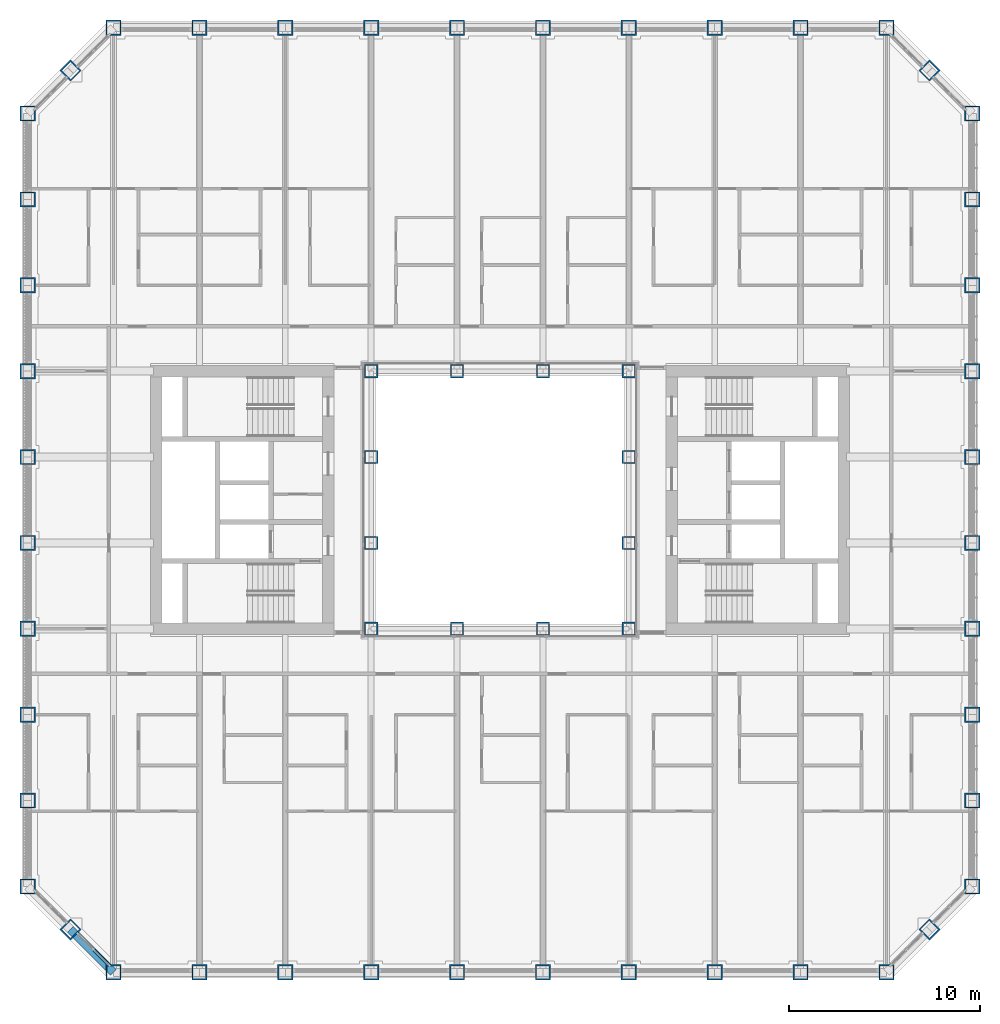
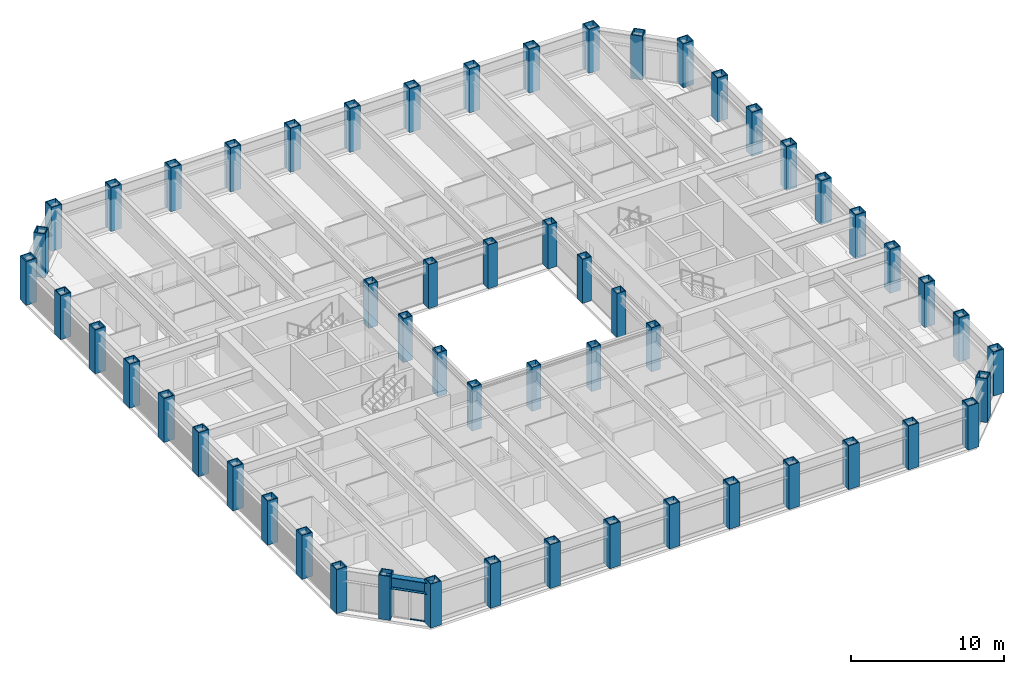
# One storey, part 1 of 21: 56 columns, 2 members, 1 beam, 1 element without a shape of its own.
"""IFC4 building model written with IfcOpenShell, lengths in metres."""

from ifc_helpers import new_model, si_unit, direction, frame, origin, origin_2d, place, context, subcontext, project, spatial, rectangle, hollow_rectangle, i_section, extrude, material, material_profile, profile_set, type_object, element, aggregate, save


model = new_model("IFC4")

# Units and contexts
model_context = context("Model", 3, precision=1e-05, world=origin(), true_north=direction((0.0, 1.0)))
body_context = subcontext(model_context, "Body", "Model", "MODEL_VIEW")
ifc_project = project(units=[si_unit("LENGTHUNIT", "METRE"), si_unit("AREAUNIT", "SQUARE_METRE"), si_unit("VOLUMEUNIT", "CUBIC_METRE"), si_unit("PLANEANGLEUNIT", "RADIAN"), si_unit("MASSUNIT", "GRAM", prefix="KILO")], contexts=[model_context])

# Site, building, storey
site_placement = place(None, origin())
site = spatial("IfcSite", under=ifc_project, at=site_placement, CompositionType="ELEMENT")
building_placement = place(site_placement, origin())
building = spatial("IfcBuilding", under=site, at=building_placement, Name="Msasa Ring Tower", CompositionType="ELEMENT")
storey_placement = place(building_placement, frame((0.0, 0.0, 40.5)))
storey = spatial("IfcBuildingStorey", under=building, at=storey_placement, Name="L09", CompositionType="ELEMENT", Elevation=40.5)

# Columns
ifc_material_1 = material(Name="Steel S355", Category="steel")
ifc_material_profile_1 = material_profile(ifc_material_1, hollow_rectangle(XDim=0.699951171875, YDim=0.699951171875, WallThickness=0.06005859375, at=origin_2d()), Name="BOX 700x700x60")
ifc_profile_set_1 = profile_set([ifc_material_profile_1], Name="Steel S355")
column_type_1 = type_object("IfcColumnType", Name="IC2 BOX 700x700x60", PredefinedType="COLUMN", material=ifc_profile_set_1)
for number, where, z_axis, x_axis, name in (
    (1, (-6.75, -6.75, 0.0), (0.0, 0.0, 1.0), (1.0, 0.0, 0.0), "Inner ring column IR-6.75-6.75 L09"),
    (2, (-6.75, -2.25, 0.0), (0.0, 0.0, 1.0), (1.0, 0.0, 0.0), "Inner ring column IR-6.75-2.25 L09"),
    (3, (-6.75, 2.25, 0.0), (0.0, 0.0, 1.0), (1.0, 0.0, 0.0), "Inner ring column IR-6.75+2.25 L09"),
    (4, (-6.75, 6.75, 0.0), (0.0, 0.0, 1.0), (1.0, 0.0, 0.0), "Inner ring column IR-6.75+6.75 L09"),
    (5, (-2.25, -6.75, 0.0), (0.0, 0.0, 1.0), (1.0, 0.0, 0.0), "Inner ring column IR-2.25-6.75 L09"),
    (6, (-2.25, 6.75, 0.0), (0.0, 0.0, 1.0), (1.0, 0.0, 0.0), "Inner ring column IR-2.25+6.75 L09"),
    (7, (2.25, -6.75, 0.0), (0.0, 0.0, 1.0), (1.0, 0.0, 0.0), "Inner ring column IR+2.25-6.75 L09"),
    (8, (2.25, 6.75, 0.0), (0.0, 0.0, 1.0), (1.0, 0.0, 0.0), "Inner ring column IR+2.25+6.75 L09"),
    (9, (6.75, -6.75, 0.0), (0.0, 0.0, 1.0), (1.0, 0.0, 0.0), "Inner ring column IR+6.75-6.75 L09"),
    (10, (6.75, -2.25, 0.0), (0.0, 0.0, 1.0), (1.0, 0.0, 0.0), "Inner ring column IR+6.75-2.25 L09"),
    (11, (6.75, 2.25, 0.0), (0.0, 0.0, 1.0), (1.0, 0.0, 0.0), "Inner ring column IR+6.75+2.25 L09"),
    (12, (6.75, 6.75, 0.0), (0.0, 0.0, 1.0), (1.0, 0.0, 0.0), "Inner ring column IR+6.75+6.75 L09"),
):
    element("IfcColumn", number, at=place(storey_placement, frame(where, z_axis=z_axis, x_axis=x_axis)), inside=storey, type_object=column_type_1, Name=name, PredefinedType="COLUMN", context=body_context, shape_type="SweptSolid", body=[
        extrude(hollow_rectangle(XDim=0.699951171875, YDim=0.699951171875, WallThickness=0.06005859375, at=origin_2d()), origin(), (0.0, 0.0, 1.0), 3.5),
    ])
ifc_material_2 = material(Name="Steel S355", Category="steel")
ifc_material_profile_2 = material_profile(ifc_material_2, hollow_rectangle(XDim=0.800048828125, YDim=0.800048828125, WallThickness=0.070068359375, at=origin_2d()), Name="BOX 800x800x70")
ifc_profile_set_2 = profile_set([ifc_material_profile_2], Name="Steel S355")
column_type_2 = type_object("IfcColumnType", Name="TC2 BOX 800x800x70", PredefinedType="COLUMN", material=ifc_profile_set_2)
for number, where, z_axis, x_axis, name in (
    (13, (-20.25, -24.75, 0.0), (0.0, 0.0, 1.0), (0.0, 1.0, 0.0), "Tube column S-20.25 L09"),
    (14, (-20.25, 24.75, 0.0), (0.0, 0.0, 1.0), (0.0, 1.0, 0.0), "Tube column N-20.25 L09"),
    (15, (24.75, -20.25, 0.0), (0.0, 0.0, 1.0), (1.0, 0.0, 0.0), "Tube column E-20.25 L09"),
    (16, (-24.75, -20.25, 0.0), (0.0, 0.0, 1.0), (1.0, 0.0, 0.0), "Tube column W-20.25 L09"),
    (17, (-15.75, -24.75, 0.0), (0.0, 0.0, 1.0), (0.0, 1.0, 0.0), "Tube column S-15.75 L09"),
    (18, (-15.75, 24.75, 0.0), (0.0, 0.0, 1.0), (0.0, 1.0, 0.0), "Tube column N-15.75 L09"),
    (19, (24.75, -15.75, 0.0), (0.0, 0.0, 1.0), (1.0, 0.0, 0.0), "Tube column E-15.75 L09"),
    (20, (-24.75, -15.75, 0.0), (0.0, 0.0, 1.0), (1.0, 0.0, 0.0), "Tube column W-15.75 L09"),
    (21, (-11.25, -24.75, 0.0), (0.0, 0.0, 1.0), (0.0, 1.0, 0.0), "Tube column S-11.25 L09"),
    (22, (-11.25, 24.75, 0.0), (0.0, 0.0, 1.0), (0.0, 1.0, 0.0), "Tube column N-11.25 L09"),
    (23, (24.75, -11.25, 0.0), (0.0, 0.0, 1.0), (1.0, 0.0, 0.0), "Tube column E-11.25 L09"),
    (24, (-24.75, -11.25, 0.0), (0.0, 0.0, 1.0), (1.0, 0.0, 0.0), "Tube column W-11.25 L09"),
    (25, (-6.75, -24.75, 0.0), (0.0, 0.0, 1.0), (0.0, 1.0, 0.0), "Tube column S-6.75 L09"),
    (26, (-6.75, 24.75, 0.0), (0.0, 0.0, 1.0), (0.0, 1.0, 0.0), "Tube column N-6.75 L09"),
    (27, (24.75, -6.75, 0.0), (0.0, 0.0, 1.0), (1.0, 0.0, 0.0), "Tube column E-6.75 L09"),
    (28, (-24.75, -6.75, 0.0), (0.0, 0.0, 1.0), (1.0, 0.0, 0.0), "Tube column W-6.75 L09"),
    (29, (-2.25, -24.75, 0.0), (0.0, 0.0, 1.0), (0.0, 1.0, 0.0), "Tube column S-2.25 L09"),
    (30, (-2.25, 24.75, 0.0), (0.0, 0.0, 1.0), (0.0, 1.0, 0.0), "Tube column N-2.25 L09"),
    (31, (24.75, -2.25, 0.0), (0.0, 0.0, 1.0), (1.0, 0.0, 0.0), "Tube column E-2.25 L09"),
    (32, (-24.75, -2.25, 0.0), (0.0, 0.0, 1.0), (1.0, 0.0, 0.0), "Tube column W-2.25 L09"),
    (33, (2.25, -24.75, 0.0), (0.0, 0.0, 1.0), (0.0, 1.0, 0.0), "Tube column S+2.25 L09"),
    (34, (2.25, 24.75, 0.0), (0.0, 0.0, 1.0), (0.0, 1.0, 0.0), "Tube column N+2.25 L09"),
    (35, (24.75, 2.25, 0.0), (0.0, 0.0, 1.0), (1.0, 0.0, 0.0), "Tube column E+2.25 L09"),
    (36, (-24.75, 2.25, 0.0), (0.0, 0.0, 1.0), (1.0, 0.0, 0.0), "Tube column W+2.25 L09"),
    (37, (6.75, -24.75, 0.0), (0.0, 0.0, 1.0), (0.0, 1.0, 0.0), "Tube column S+6.75 L09"),
    (38, (6.75, 24.75, 0.0), (0.0, 0.0, 1.0), (0.0, 1.0, 0.0), "Tube column N+6.75 L09"),
    (39, (24.75, 6.75, 0.0), (0.0, 0.0, 1.0), (1.0, 0.0, 0.0), "Tube column E+6.75 L09"),
    (40, (-24.75, 6.75, 0.0), (0.0, 0.0, 1.0), (1.0, 0.0, 0.0), "Tube column W+6.75 L09"),
    (41, (11.25, -24.75, 0.0), (0.0, 0.0, 1.0), (0.0, 1.0, 0.0), "Tube column S+11.25 L09"),
    (42, (11.25, 24.75, 0.0), (0.0, 0.0, 1.0), (0.0, 1.0, 0.0), "Tube column N+11.25 L09"),
    (43, (24.75, 11.25, 0.0), (0.0, 0.0, 1.0), (1.0, 0.0, 0.0), "Tube column E+11.25 L09"),
    (44, (-24.75, 11.25, 0.0), (0.0, 0.0, 1.0), (1.0, 0.0, 0.0), "Tube column W+11.25 L09"),
    (45, (15.75, -24.75, 0.0), (0.0, 0.0, 1.0), (0.0, 1.0, 0.0), "Tube column S+15.75 L09"),
    (46, (15.75, 24.75, 0.0), (0.0, 0.0, 1.0), (0.0, 1.0, 0.0), "Tube column N+15.75 L09"),
    (47, (24.75, 15.75, 0.0), (0.0, 0.0, 1.0), (1.0, 0.0, 0.0), "Tube column E+15.75 L09"),
    (48, (-24.75, 15.75, 0.0), (0.0, 0.0, 1.0), (1.0, 0.0, 0.0), "Tube column W+15.75 L09"),
    (49, (20.25, -24.75, 0.0), (0.0, 0.0, 1.0), (0.0, 1.0, 0.0), "Tube column S+20.25 L09"),
    (50, (20.25, 24.75, 0.0), (0.0, 0.0, 1.0), (0.0, 1.0, 0.0), "Tube column N+20.25 L09"),
    (51, (24.75, 20.25, 0.0), (0.0, 0.0, 1.0), (1.0, 0.0, 0.0), "Tube column E+20.25 L09"),
    (52, (-24.75, 20.25, 0.0), (0.0, 0.0, 1.0), (1.0, 0.0, 0.0), "Tube column W+20.25 L09"),
    (53, (22.5, -22.5, 0.0), (0.0, 0.0, 1.0), (0.707106781187, -0.707106781187, 0.0), "Tube column SE L09"),
    (54, (22.5, 22.5, 0.0), (0.0, 0.0, 1.0), (0.707106781187, 0.707106781187, 0.0), "Tube column NE L09"),
    (55, (-22.5, 22.5, 0.0), (0.0, 0.0, 1.0), (0.707106781187, -0.707106781187, 0.0), "Tube column NW L09"),
    (56, (-22.5, -22.5, 0.0), (0.0, 0.0, 1.0), (0.707106781187, 0.707106781187, 0.0), "Tube column SW L09"),
):
    element("IfcColumn", number, at=place(storey_placement, frame(where, z_axis=z_axis, x_axis=x_axis)), inside=storey, type_object=column_type_2, Name=name, PredefinedType="COLUMN", context=body_context, shape_type="SweptSolid", body=[
        extrude(hollow_rectangle(XDim=0.800048828125, YDim=0.800048828125, WallThickness=0.070068359375, at=origin_2d()), origin(), (0.0, 0.0, 1.0), 3.5),
    ])

# Curtain wall, members
ifc_material_3 = material(Name="Aluminium curtain wall with clear glass", Category="aluminium")
curtain_wall_type = type_object("IfcCurtainWallType", Name="CW-C CHAMFER CORNER CURTAIN WALL", PredefinedType="NOTDEFINED", material=ifc_material_3)
curtain_wall_placement = place(storey_placement, origin())
curtain_wall = element("IfcCurtainWall", 57, at=curtain_wall_placement, inside=storey, type_object=curtain_wall_type, Name="Chamfer corner curtain wall SW L09", PredefinedType="NOTDEFINED")
ifc_material_4 = material(Name="Aluminium transom", Category="aluminium")
ifc_material_profile_3 = material_profile(ifc_material_4, rectangle(XDim=0.139892578125, YDim=0.06494140625, at=origin_2d()), Name="AL 65x140")
ifc_profile_set_3 = profile_set([ifc_material_profile_3], Name="Aluminium transom")
member_type = type_object("IfcMemberType", Name="CW-C TRANSOM 65x140", PredefinedType="USERDEFINED", material=ifc_profile_set_3)
member_1_placement = place(storey_placement, frame((-21.28125, -23.577392578125, 0.032470703125), z_axis=(0.707106781187, -0.707106781187, 0.0), x_axis=(0.707106781187, 0.707106781187, 0.0)))
member_1 = element("IfcMember", 58, at=member_1_placement, type_object=member_type, Name="CW-C transom 2.1", ObjectType="TRANSOM", PredefinedType="USERDEFINED", context=body_context, shape_type="SweptSolid", body=[
    extrude(rectangle(XDim=0.139892578125, YDim=0.06494140625, at=origin_2d()), origin(), (0.0, 0.0, 1.0), 1.08837890625),
])
member_2_placement = place(storey_placement, frame((-21.28125, -23.577392578125, 2.346435546875), z_axis=(0.707106781187, -0.707106781187, 0.0), x_axis=(0.707106781187, 0.707106781187, 0.0)))
member_2 = element("IfcMember", 59, at=member_2_placement, type_object=member_type, Name="CW-C transom 2.2", ObjectType="TRANSOM", PredefinedType="USERDEFINED", context=body_context, shape_type="SweptSolid", body=[
    extrude(rectangle(XDim=0.139892578125, YDim=0.06494140625, at=origin_2d()), origin(), (0.0, 0.0, 1.0), 1.08837890625),
])
aggregate(curtain_wall, [member_1, member_2])

# Beam
ifc_material_5 = material(Name="Steel S355", Category="steel")
ifc_material_profile_4 = material_profile(ifc_material_5, i_section(OverallWidth=0.42041015625, OverallDepth=0.9208984375, WebThickness=0.021484375, FlangeThickness=0.03662109375, FilletRadius=0.024169921875, at=origin_2d()), Name="UB 914x419x388")
ifc_profile_set_4 = profile_set([ifc_material_profile_4], Name="Steel S355")
beam_type = type_object("IfcBeamType", Name="SB1 UB 914x419x388", PredefinedType="SPANDREL", material=ifc_profile_set_4)
beam_placement = place(storey_placement, frame((-22.5, -22.5, 2.839599609375), z_axis=(0.707106781187, -0.707106781187, 0.0), x_axis=(0.707106781187, 0.707106781187, 0.0)))
element("IfcBeam", 60, at=beam_placement, inside=storey, type_object=beam_type, Name="Spandrel SW to S-20.25 under L10", PredefinedType="SPANDREL", context=body_context, shape_type="SweptSolid", body=[
    extrude(i_section(OverallWidth=0.42041015625, OverallDepth=0.9208984375, WebThickness=0.021484375, FlangeThickness=0.03662109375, FilletRadius=0.024169921875, at=origin_2d()), origin(), (0.0, 0.0, 1.0), 3.181884765625),
])

save(model, "model.ifc")
